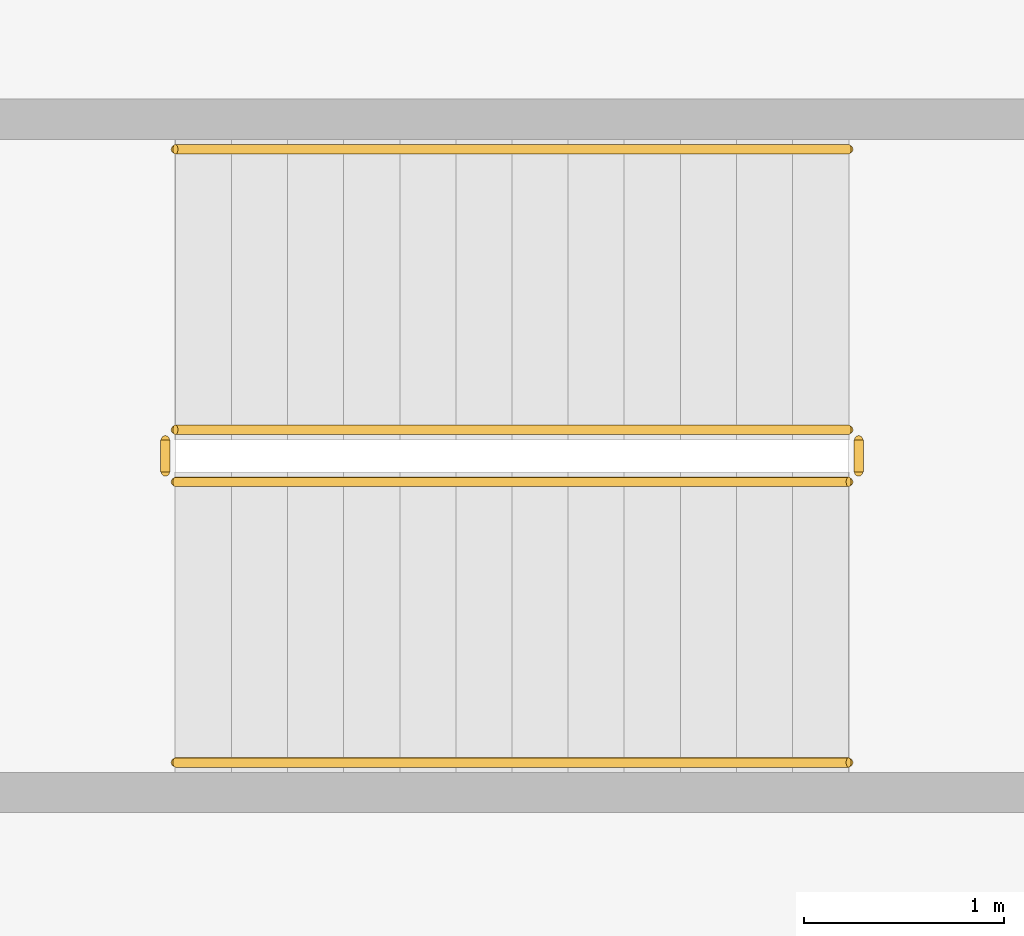
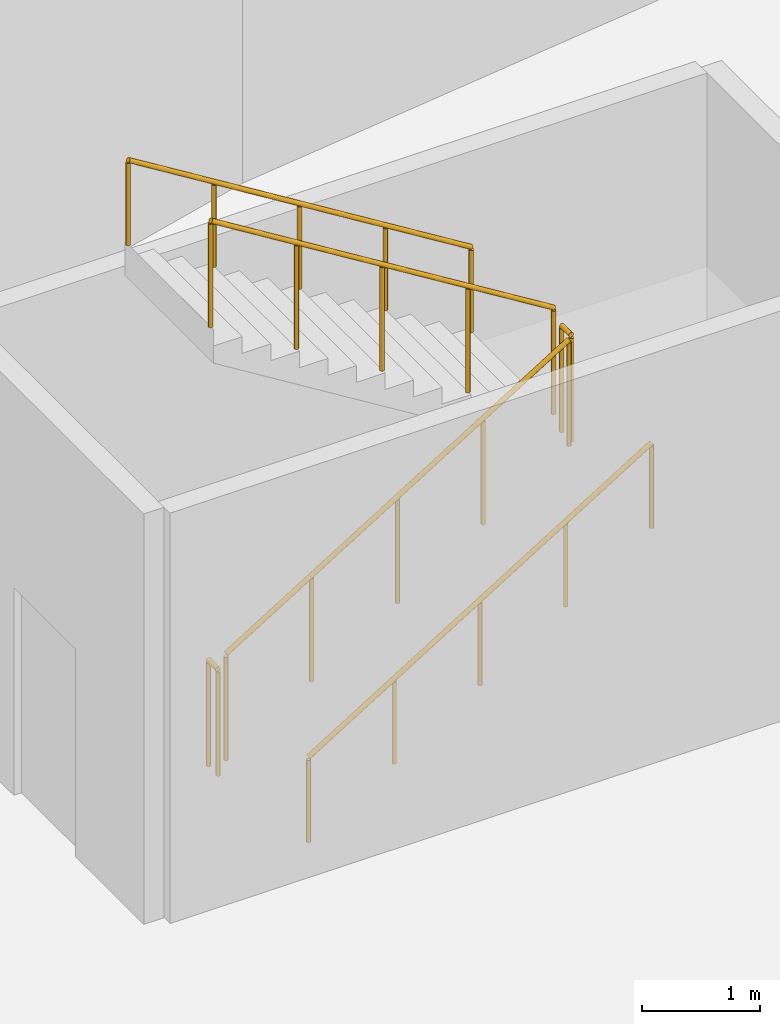
# One storey, part 9 of 10: 6 railings.
"""IFC4 building model written with IfcOpenShell, lengths in metres."""

import ifcopenshell
import ifcopenshell.guid

model = None  # the IFC model being written
_history = None  # IfcOwnerHistory: only IFC2X3 demands one
_inside = {}  # id of a spatial element -> (the spatial element, [elements in it])
_under = {}  # id of a project, library or spatial element -> (it, [spatial elements below it])
_declared = {}  # id of a project -> (the project, [libraries it declares])
_typed = {}  # id of a type object -> (the type object, [elements of that type])
_made_of = {}  # id of a material, layer set ... -> (it, [elements and type objects made of it])


def new_model(schema):
    """Start an empty IFC model of exactly this schema.

    Asked for "IFC4X3", IfcOpenShell would pick the latest addendum, in which some entities
    have other attributes; the version numbers below select the first issue.
    IFC2X3 requires an IfcOwnerHistory on every rooted entity: one is made here for all.
    """
    global model, _history
    if schema == "IFC4X3":
        model = ifcopenshell.file(schema_version=(4, 3, 0, 0))
    else:
        model = ifcopenshell.file(schema=schema)
    _inside.clear()
    _under.clear()
    _declared.clear()
    _typed.clear()
    _made_of.clear()
    _history = None
    if model.schema == "IFC2X3":
        org = make("IfcOrganization", Name="unknown")
        user = make(
            "IfcPersonAndOrganization",
            ThePerson=make("IfcPerson", FamilyName="unknown"),
            TheOrganization=org,
        )
        app = make(
            "IfcApplication",
            ApplicationDeveloper=org,
            Version="unknown",
            ApplicationFullName="unknown",
            ApplicationIdentifier="unknown",
        )
        _history = make(
            "IfcOwnerHistory",
            OwningUser=user,
            OwningApplication=app,
            ChangeAction="ADDED",
            CreationDate=0,
        )
    return model


def make(cls, **values):
    """One entity of the class cls with the attributes given. An attribute that is None is left unset."""
    return model.create_entity(
        cls, **{name: value for name, value in values.items() if value is not None}
    )


def rooted(cls, **values):
    """An entity with a GlobalId (a new one), such as an element, a storey or a relation."""
    return make(cls, GlobalId=ifcopenshell.guid.new(), OwnerHistory=_history, **values)


def si_unit(unit_type, name, prefix=None):
    """IfcSIUnit, for example si_unit("LENGTHUNIT", "METRE", prefix="MILLI")."""
    return make("IfcSIUnit", UnitType=unit_type, Prefix=prefix, Name=name)


def assignment(units):
    """IfcUnitAssignment: the units of a project."""
    return None if units is None else make("IfcUnitAssignment", Units=units)


def point(xyz):
    """IfcCartesianPoint."""
    return None if xyz is None else make("IfcCartesianPoint", Coordinates=xyz)


def direction(xyz):
    """IfcDirection."""
    return None if xyz is None else make("IfcDirection", DirectionRatios=xyz)


def frame(location, z_axis=None, x_axis=None):
    """IfcAxis2Placement3D, a coordinate frame: its origin and axes. An axis left out is left unset."""
    return make(
        "IfcAxis2Placement3D",
        Location=point(location),
        Axis=direction(z_axis),
        RefDirection=direction(x_axis),
    )


def frame_2d(location, x_axis=None):
    """IfcAxis2Placement2D, a coordinate frame in the plane: its origin and x axis."""
    return make(
        "IfcAxis2Placement2D", Location=point(location), RefDirection=direction(x_axis)
    )


def origin():
    """The frame at (0, 0, 0) with its axes left unset."""
    return frame((0.0, 0.0, 0.0))


def origin_2d():
    """The frame at (0, 0) in the plane with its x axis left unset."""
    return frame_2d((0.0, 0.0))


def place(relative_to, where):
    """IfcLocalPlacement: puts the frame where relative to a parent placement (None: the world)."""
    return make(
        "IfcLocalPlacement", PlacementRelTo=relative_to, RelativePlacement=where
    )


def context(
    kind, dimensions, precision=None, world=None, true_north=None, identifier=None
):
    """IfcGeometricRepresentationContext, for example the 3D "Model" context."""
    return make(
        "IfcGeometricRepresentationContext",
        ContextIdentifier=identifier,
        ContextType=kind,
        CoordinateSpaceDimension=dimensions,
        Precision=precision,
        WorldCoordinateSystem=world,
        TrueNorth=true_north,
    )


def subcontext(parent, identifier, kind, view, scale=None):
    """IfcGeometricRepresentationSubContext, for example "Body" below "Model"."""
    return make(
        "IfcGeometricRepresentationSubContext",
        ContextIdentifier=identifier,
        ContextType=kind,
        ParentContext=parent,
        TargetScale=scale,
        TargetView=view,
    )


def project(units=None, contexts=None):
    """IfcProject with its units and contexts."""
    return rooted(
        "IfcProject",
        Name="project",
        RepresentationContexts=contexts,
        UnitsInContext=assignment(units),
    )


def spatial(cls, under=None, at=None, **own):
    """A site, building, storey or space (cls), placed at a placement, below another one or the project."""
    s = rooted(cls, ObjectPlacement=at, **own)
    if under is not None:
        _under.setdefault(under.id(), (under, []))[1].append(s)
    return s


def profile(cls, at=None, kind="AREA", **sizes):
    """A parametric profile (cls). Its sizes go by their IFC names, for example OverallWidth=200.0."""
    return make(cls, ProfileType=kind, Position=at, **sizes)


def circle(**sizes):
    """IfcCircleProfileDef."""
    return profile("IfcCircleProfileDef", **sizes)


def extrude(swept, where, along, depth):
    """IfcExtrudedAreaSolid: the profile swept, set in the frame where, extruded along a direction by depth."""
    return make(
        "IfcExtrudedAreaSolid",
        SweptArea=swept,
        Position=where,
        ExtrudedDirection=direction(along),
        Depth=depth,
    )


def shape(context_of_items, identifier, shape_type, items):
    """IfcShapeRepresentation: the items that make up one representation, for example the "Body"."""
    return make(
        "IfcShapeRepresentation",
        ContextOfItems=context_of_items,
        RepresentationIdentifier=identifier,
        RepresentationType=shape_type,
        Items=items,
    )


def material(Name=None, Category=None):
    """IfcMaterial."""
    return make("IfcMaterial", Name=Name, Category=Category)


def made_of(thing, what):
    """Note that an element or type object is made of a material, layer set ...; save() writes the relation."""
    if what is not None:
        _made_of.setdefault(what.id(), (what, []))[1].append(thing)
    return thing


def type_object(cls, material=None, **own):
    """A type object (cls), such as IfcWallType, which elements share."""
    return made_of(rooted(cls, **own), material)


def element(
    cls,
    number,
    at=None,
    inside=None,
    cuts=None,
    type_object=None,
    material=None,
    context=None,
    identifier="Body",
    shape_type=None,
    held_by="IfcProductDefinitionShape",
    body=None,
    shapes=None,
    **own,
):
    """One element of the class cls, such as IfcWall. Its Tag is "e" and its number.

    at: its placement. inside: the storey or other place that contains it. cuts: it is an
    opening in that element (IfcRelVoidsElement). A single representation is given by context,
    identifier, shape_type and body (its items); several are given by shapes. held_by: the class
    of the entity that holds the representations. save() writes the other relations.
    """
    e = rooted(cls, Tag="e%d" % number, ObjectPlacement=at, **own)
    if body is not None:
        shapes = [shape(context, identifier, shape_type, body)]
    if shapes is not None:
        e.Representation = make(held_by, Representations=shapes)
    if inside is not None:
        _inside.setdefault(inside.id(), (inside, []))[1].append(e)
    if cuts is not None:
        rooted(
            "IfcRelVoidsElement", RelatingBuildingElement=cuts, RelatedOpeningElement=e
        )
    if type_object is not None:
        _typed.setdefault(type_object.id(), (type_object, []))[1].append(e)
    return made_of(e, material)


def aggregate(whole, parts):
    """IfcRelAggregates: a whole, such as a stair, and the parts it consists of."""
    return rooted("IfcRelAggregates", RelatingObject=whole, RelatedObjects=parts)


def save(model, path):
    """Write the relations noted so far, then the file.

    IfcRelAggregates (storeys below a building ...), IfcRelContainedInSpatialStructure (elements
    in a storey), IfcRelDefinesByType, IfcRelAssociatesMaterial and IfcRelDeclares: one each for
    every whole, place, type object, material and project.
    """
    for whole, parts in _under.values():
        aggregate(whole, parts)
    for where, things in _inside.values():
        rooted(
            "IfcRelContainedInSpatialStructure",
            RelatedElements=things,
            RelatingStructure=where,
        )
    for kind, things in _typed.values():
        rooted("IfcRelDefinesByType", RelatedObjects=things, RelatingType=kind)
    for what, things in _made_of.values():
        rooted("IfcRelAssociatesMaterial", RelatedObjects=things, RelatingMaterial=what)
    for by, libraries in _declared.values():
        rooted("IfcRelDeclares", RelatingContext=by, RelatedDefinitions=libraries)
    model.write(path)


model = new_model("IFC4")

# Units and contexts
model_context = context("Model", 3, precision=1e-05, world=origin(), true_north=direction((0.0, 1.0)))
body_context = subcontext(model_context, "Body", "Model", "MODEL_VIEW")
ifc_project = project(units=[si_unit("LENGTHUNIT", "METRE"), si_unit("AREAUNIT", "SQUARE_METRE"), si_unit("VOLUMEUNIT", "CUBIC_METRE"), si_unit("PLANEANGLEUNIT", "RADIAN"), si_unit("MASSUNIT", "GRAM", prefix="KILO"), si_unit("THERMODYNAMICTEMPERATUREUNIT", "KELVIN")], contexts=[model_context])

# Site, building, storey
site_placement = place(None, origin())
site = spatial("IfcSite", under=ifc_project, at=site_placement, CompositionType="ELEMENT")
building_placement = place(site_placement, origin())
building = spatial("IfcBuilding", under=site, at=building_placement, Name="Kethvar Cultural Tower", CompositionType="ELEMENT")
storey_placement = place(building_placement, frame((0.0, 0.0, -4.5)))
storey = spatial("IfcBuildingStorey", under=building, at=storey_placement, Name="B01", CompositionType="ELEMENT", Elevation=-4.5)

# Railings
ifc_material = material(Name="Steel S355J2", Category="steel")
railing_type_1 = type_object("IfcRailingType", Name="RL-STAIR-GUARD", PredefinedType="BALUSTRADE", material=ifc_material)
railing_1_placement = place(storey_placement, frame((19.5, 46.2900390625, 0.173095703125)))
element("IfcRailing", 1, at=railing_1_placement, inside=storey, type_object=railing_type_1, Name="B01 ST-05 stair guard 1", PredefinedType="BALUSTRADE", context=body_context, shape_type="SweptSolid", body=[
    extrude(circle(Radius=0.02392578125, at=origin_2d()), frame((0.0, 0.0, 1.09619140625), z_axis=(0.850623216509, 0.0, 0.525775754039), x_axis=(0.0, 1.0, 0.0)), (0.0, 0.0, 1.0), 3.9501953125),
    extrude(circle(Radius=0.02099609375, at=origin_2d()), origin(), (0.0, 0.0, 1.0), 1.072021484375),
    extrude(circle(Radius=0.02099609375, at=origin_2d()), frame((0.840087890625, 0.0, 0.519287109375)), (0.0, 0.0, 1.0), 1.072021484375),
    extrude(circle(Radius=0.02099609375, at=origin_2d()), frame((1.68017578125, 0.0, 1.03857421875)), (0.0, 0.0, 1.0), 1.072021484375),
    extrude(circle(Radius=0.02099609375, at=origin_2d()), frame((2.52001953125, 0.0, 1.5576171875)), (0.0, 0.0, 1.0), 1.072021484375),
    extrude(circle(Radius=0.02099609375, at=origin_2d()), frame((3.360107421875, 0.0, 2.076904296875)), (0.0, 0.0, 1.0), 1.072021484375),
])
railing_2_placement = place(storey_placement, frame((22.909912109375, 46.340087890625, 2.25)))
element("IfcRailing", 2, at=railing_2_placement, inside=storey, type_object=railing_type_1, Name="B01 ST-05 stair guard 2", PredefinedType="BALUSTRADE", context=body_context, shape_type="SweptSolid", body=[
    extrude(circle(Radius=0.02392578125, at=origin_2d()), frame((0.0, 0.0, 1.09619140625), z_axis=(0.0, 1.0, 0.0), x_axis=(-1.0, 0.0, 0.0)), (0.0, 0.0, 1.0), 0.159912109375),
    extrude(circle(Radius=0.02099609375, at=origin_2d()), origin(), (0.0, 0.0, 1.0), 1.072021484375),
    extrude(circle(Radius=0.02099609375, at=origin_2d()), frame((0.0, 0.159912109375, 0.0)), (0.0, 0.0, 1.0), 1.072021484375),
])
railing_3_placement = place(storey_placement, frame((22.860107421875, 46.550048828125, 2.423095703125)))
element("IfcRailing", 3, at=railing_3_placement, inside=storey, type_object=railing_type_1, Name="B01 ST-05 stair guard 3", PredefinedType="BALUSTRADE", context=body_context, shape_type="SweptSolid", body=[
    extrude(circle(Radius=0.02392578125, at=origin_2d()), frame((0.0, 0.0, 1.09619140625), z_axis=(-0.850623216509, 0.0, 0.525775754039), x_axis=(0.0, -1.0, 0.0)), (0.0, 0.0, 1.0), 3.9501953125),
    extrude(circle(Radius=0.02099609375, at=origin_2d()), origin(), (0.0, 0.0, 1.0), 1.072021484375),
    extrude(circle(Radius=0.02099609375, at=origin_2d()), frame((-0.840087890625, 0.0, 0.519287109375)), (0.0, 0.0, 1.0), 1.072021484375),
    extrude(circle(Radius=0.02099609375, at=origin_2d()), frame((-1.68017578125, 0.0, 1.03857421875)), (0.0, 0.0, 1.0), 1.072021484375),
    extrude(circle(Radius=0.02099609375, at=origin_2d()), frame((-2.52001953125, 0.0, 1.5576171875)), (0.0, 0.0, 1.0), 1.072021484375),
    extrude(circle(Radius=0.02099609375, at=origin_2d()), frame((-3.360107421875, 0.0, 2.076904296875)), (0.0, 0.0, 1.0), 1.072021484375),
])
railing_4_placement = place(storey_placement, frame((19.449951171875, 46.340087890625, 0.0)))
element("IfcRailing", 4, at=railing_4_placement, inside=storey, type_object=railing_type_1, Name="B01 ST-05 stair guard 4", PredefinedType="BALUSTRADE", context=body_context, shape_type="SweptSolid", body=[
    extrude(circle(Radius=0.02392578125, at=origin_2d()), frame((0.0, 0.0, 1.09619140625), z_axis=(0.0, 1.0, 0.0), x_axis=(-1.0, 0.0, 0.0)), (0.0, 0.0, 1.0), 0.159912109375),
    extrude(circle(Radius=0.02099609375, at=origin_2d()), origin(), (0.0, 0.0, 1.0), 1.072021484375),
    extrude(circle(Radius=0.02099609375, at=origin_2d()), frame((0.0, 0.159912109375, 0.0)), (0.0, 0.0, 1.0), 1.072021484375),
])
railing_type_2 = type_object("IfcRailingType", Name="RL-STAIR-HANDRAIL", PredefinedType="HANDRAIL", material=ifc_material)
railing_5_placement = place(storey_placement, frame((19.5, 44.889892578125, 0.173095703125)))
element("IfcRailing", 5, at=railing_5_placement, inside=storey, type_object=railing_type_2, Name="B01 ST-05 stair handrail 1", PredefinedType="HANDRAIL", context=body_context, shape_type="SweptSolid", body=[
    extrude(circle(Radius=0.02392578125, at=origin_2d()), frame((0.0, 0.0, 0.8759765625), z_axis=(0.850623216509, 0.0, 0.525775754039), x_axis=(0.0, 1.0, 0.0)), (0.0, 0.0, 1.0), 3.9501953125),
    extrude(circle(Radius=0.02099609375, at=origin_2d()), origin(), (0.0, 0.0, 1.0), 0.851806640625),
    extrude(circle(Radius=0.02099609375, at=origin_2d()), frame((0.840087890625, 0.0, 0.519287109375)), (0.0, 0.0, 1.0), 0.851806640625),
    extrude(circle(Radius=0.02099609375, at=origin_2d()), frame((1.68017578125, 0.0, 1.03857421875)), (0.0, 0.0, 1.0), 0.851806640625),
    extrude(circle(Radius=0.02099609375, at=origin_2d()), frame((2.52001953125, 0.0, 1.5576171875)), (0.0, 0.0, 1.0), 0.851806640625),
    extrude(circle(Radius=0.02099609375, at=origin_2d()), frame((3.360107421875, 0.0, 2.076904296875)), (0.0, 0.0, 1.0), 0.851806640625),
])
railing_6_placement = place(storey_placement, frame((22.860107421875, 47.949951171875, 2.423095703125)))
element("IfcRailing", 6, at=railing_6_placement, inside=storey, type_object=railing_type_2, Name="B01 ST-05 stair handrail 2", PredefinedType="HANDRAIL", context=body_context, shape_type="SweptSolid", body=[
    extrude(circle(Radius=0.02392578125, at=origin_2d()), frame((0.0, 0.0, 0.8759765625), z_axis=(-0.850623216509, 0.0, 0.525775754039), x_axis=(0.0, -1.0, 0.0)), (0.0, 0.0, 1.0), 3.9501953125),
    extrude(circle(Radius=0.02099609375, at=origin_2d()), origin(), (0.0, 0.0, 1.0), 0.851806640625),
    extrude(circle(Radius=0.02099609375, at=origin_2d()), frame((-0.840087890625, 0.0, 0.519287109375)), (0.0, 0.0, 1.0), 0.851806640625),
    extrude(circle(Radius=0.02099609375, at=origin_2d()), frame((-1.68017578125, 0.0, 1.03857421875)), (0.0, 0.0, 1.0), 0.851806640625),
    extrude(circle(Radius=0.02099609375, at=origin_2d()), frame((-2.52001953125, 0.0, 1.5576171875)), (0.0, 0.0, 1.0), 0.851806640625),
    extrude(circle(Radius=0.02099609375, at=origin_2d()), frame((-3.360107421875, 0.0, 2.076904296875)), (0.0, 0.0, 1.0), 0.851806640625),
])

save(model, "model.ifc")
